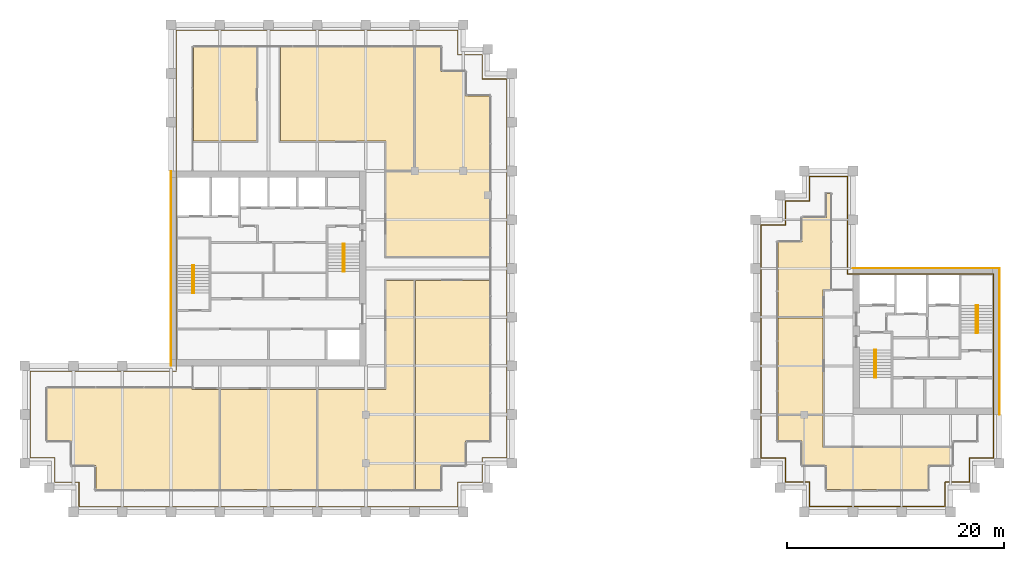
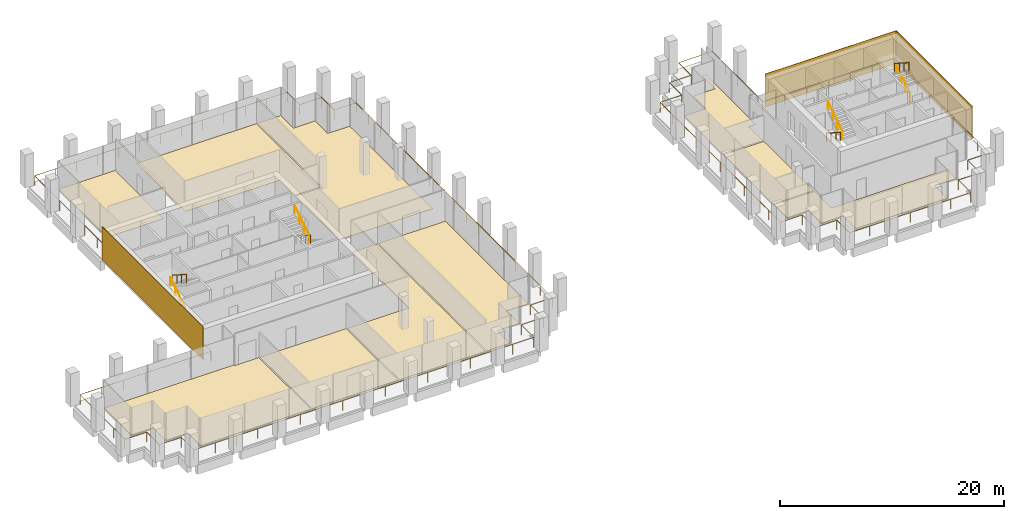
# One storey, part 40 of 40: 13 coverings, 10 railings.
"""IFC4 building model written with IfcOpenShell, lengths in metres."""

import ifcopenshell
import ifcopenshell.guid

model = None  # the IFC model being written
_history = None  # IfcOwnerHistory: only IFC2X3 demands one
_inside = {}  # id of a spatial element -> (the spatial element, [elements in it])
_under = {}  # id of a project, library or spatial element -> (it, [spatial elements below it])
_declared = {}  # id of a project -> (the project, [libraries it declares])
_typed = {}  # id of a type object -> (the type object, [elements of that type])
_made_of = {}  # id of a material, layer set ... -> (it, [elements and type objects made of it])


def new_model(schema):
    """Start an empty IFC model of exactly this schema.

    Asked for "IFC4X3", IfcOpenShell would pick the latest addendum, in which some entities
    have other attributes; the version numbers below select the first issue.
    IFC2X3 requires an IfcOwnerHistory on every rooted entity: one is made here for all.
    """
    global model, _history
    if schema == "IFC4X3":
        model = ifcopenshell.file(schema_version=(4, 3, 0, 0))
    else:
        model = ifcopenshell.file(schema=schema)
    _inside.clear()
    _under.clear()
    _declared.clear()
    _typed.clear()
    _made_of.clear()
    _history = None
    if model.schema == "IFC2X3":
        org = make("IfcOrganization", Name="unknown")
        user = make(
            "IfcPersonAndOrganization",
            ThePerson=make("IfcPerson", FamilyName="unknown"),
            TheOrganization=org,
        )
        app = make(
            "IfcApplication",
            ApplicationDeveloper=org,
            Version="unknown",
            ApplicationFullName="unknown",
            ApplicationIdentifier="unknown",
        )
        _history = make(
            "IfcOwnerHistory",
            OwningUser=user,
            OwningApplication=app,
            ChangeAction="ADDED",
            CreationDate=0,
        )
    return model


def make(cls, **values):
    """One entity of the class cls with the attributes given. An attribute that is None is left unset."""
    return model.create_entity(
        cls, **{name: value for name, value in values.items() if value is not None}
    )


def rooted(cls, **values):
    """An entity with a GlobalId (a new one), such as an element, a storey or a relation."""
    return make(cls, GlobalId=ifcopenshell.guid.new(), OwnerHistory=_history, **values)


def si_unit(unit_type, name, prefix=None):
    """IfcSIUnit, for example si_unit("LENGTHUNIT", "METRE", prefix="MILLI")."""
    return make("IfcSIUnit", UnitType=unit_type, Prefix=prefix, Name=name)


def assignment(units):
    """IfcUnitAssignment: the units of a project."""
    return None if units is None else make("IfcUnitAssignment", Units=units)


def point(xyz):
    """IfcCartesianPoint."""
    return None if xyz is None else make("IfcCartesianPoint", Coordinates=xyz)


def direction(xyz):
    """IfcDirection."""
    return None if xyz is None else make("IfcDirection", DirectionRatios=xyz)


def frame(location, z_axis=None, x_axis=None):
    """IfcAxis2Placement3D, a coordinate frame: its origin and axes. An axis left out is left unset."""
    return make(
        "IfcAxis2Placement3D",
        Location=point(location),
        Axis=direction(z_axis),
        RefDirection=direction(x_axis),
    )


def frame_2d(location, x_axis=None):
    """IfcAxis2Placement2D, a coordinate frame in the plane: its origin and x axis."""
    return make(
        "IfcAxis2Placement2D", Location=point(location), RefDirection=direction(x_axis)
    )


def origin():
    """The frame at (0, 0, 0) with its axes left unset."""
    return frame((0.0, 0.0, 0.0))


def origin_2d():
    """The frame at (0, 0) in the plane with its x axis left unset."""
    return frame_2d((0.0, 0.0))


def place(relative_to, where):
    """IfcLocalPlacement: puts the frame where relative to a parent placement (None: the world)."""
    return make(
        "IfcLocalPlacement", PlacementRelTo=relative_to, RelativePlacement=where
    )


def context(
    kind, dimensions, precision=None, world=None, true_north=None, identifier=None
):
    """IfcGeometricRepresentationContext, for example the 3D "Model" context."""
    return make(
        "IfcGeometricRepresentationContext",
        ContextIdentifier=identifier,
        ContextType=kind,
        CoordinateSpaceDimension=dimensions,
        Precision=precision,
        WorldCoordinateSystem=world,
        TrueNorth=true_north,
    )


def subcontext(parent, identifier, kind, view, scale=None):
    """IfcGeometricRepresentationSubContext, for example "Body" below "Model"."""
    return make(
        "IfcGeometricRepresentationSubContext",
        ContextIdentifier=identifier,
        ContextType=kind,
        ParentContext=parent,
        TargetScale=scale,
        TargetView=view,
    )


def project(units=None, contexts=None):
    """IfcProject with its units and contexts."""
    return rooted(
        "IfcProject",
        Name="project",
        RepresentationContexts=contexts,
        UnitsInContext=assignment(units),
    )


def spatial(cls, under=None, at=None, **own):
    """A site, building, storey or space (cls), placed at a placement, below another one or the project."""
    s = rooted(cls, ObjectPlacement=at, **own)
    if under is not None:
        _under.setdefault(under.id(), (under, []))[1].append(s)
    return s


def polyline(points):
    """IfcPolyline through the points."""
    return make("IfcPolyline", Points=[point(p) for p in points])


def profile(cls, at=None, kind="AREA", **sizes):
    """A parametric profile (cls). Its sizes go by their IFC names, for example OverallWidth=200.0."""
    return make(cls, ProfileType=kind, Position=at, **sizes)


def rectangle(**sizes):
    """IfcRectangleProfileDef."""
    return profile("IfcRectangleProfileDef", **sizes)


def circle(**sizes):
    """IfcCircleProfileDef."""
    return profile("IfcCircleProfileDef", **sizes)


def outline(outer, holes=None, kind="AREA"):
    """IfcArbitraryClosedProfileDef: a profile drawn as a closed curve; with holes, ...WithVoids."""
    if holes is None:
        return make("IfcArbitraryClosedProfileDef", ProfileType=kind, OuterCurve=outer)
    return make(
        "IfcArbitraryProfileDefWithVoids",
        ProfileType=kind,
        OuterCurve=outer,
        InnerCurves=holes,
    )


def extrude(swept, where, along, depth):
    """IfcExtrudedAreaSolid: the profile swept, set in the frame where, extruded along a direction by depth."""
    return make(
        "IfcExtrudedAreaSolid",
        SweptArea=swept,
        Position=where,
        ExtrudedDirection=direction(along),
        Depth=depth,
    )


def shape(context_of_items, identifier, shape_type, items):
    """IfcShapeRepresentation: the items that make up one representation, for example the "Body"."""
    return make(
        "IfcShapeRepresentation",
        ContextOfItems=context_of_items,
        RepresentationIdentifier=identifier,
        RepresentationType=shape_type,
        Items=items,
    )


def source(mapping_origin, context_of_items, identifier, shape_type, items):
    """IfcRepresentationMap: a shape defined once, which mapped items show again and again."""
    return make(
        "IfcRepresentationMap",
        MappingOrigin=mapping_origin,
        MappedRepresentation=shape(context_of_items, identifier, shape_type, items),
    )


def transform(
    local_origin,
    x_axis=None,
    y_axis=None,
    z_axis=None,
    scale=None,
    scale2=None,
    scale3=None,
    uniform=True,
):
    """IfcCartesianTransformationOperator3D, or its non-uniform kind. x_axis, y_axis, z_axis: its Axis1, 2, 3."""
    if uniform:
        return make(
            "IfcCartesianTransformationOperator3D",
            Axis1=direction(x_axis),
            Axis2=direction(y_axis),
            LocalOrigin=point(local_origin),
            Scale=scale,
            Axis3=direction(z_axis),
        )
    return make(
        "IfcCartesianTransformationOperator3DnonUniform",
        Axis1=direction(x_axis),
        Axis2=direction(y_axis),
        LocalOrigin=point(local_origin),
        Scale=scale,
        Axis3=direction(z_axis),
        Scale2=scale2,
        Scale3=scale3,
    )


def mapped(mapping_source, mapping_target):
    """IfcMappedItem: shows the shape of a source again, moved by a transform."""
    return make(
        "IfcMappedItem", MappingSource=mapping_source, MappingTarget=mapping_target
    )


def material(Name=None, Category=None):
    """IfcMaterial."""
    return make("IfcMaterial", Name=Name, Category=Category)


def layer(
    of_material, thickness, ventilated=None, Name=None, Category=None, Priority=None
):
    """IfcMaterialLayer: one layer of a wall or slab, of a material (None: an air gap)."""
    return make(
        "IfcMaterialLayer",
        Material=of_material,
        LayerThickness=thickness,
        IsVentilated=ventilated,
        Name=Name,
        Category=Category,
        Priority=Priority,
    )


def layer_set(layers, Name=None):
    """IfcMaterialLayerSet."""
    return make("IfcMaterialLayerSet", MaterialLayers=layers, LayerSetName=Name)


def made_of(thing, what):
    """Note that an element or type object is made of a material, layer set ...; save() writes the relation."""
    if what is not None:
        _made_of.setdefault(what.id(), (what, []))[1].append(thing)
    return thing


def type_object(cls, material=None, **own):
    """A type object (cls), such as IfcWallType, which elements share."""
    return made_of(rooted(cls, **own), material)


def element(
    cls,
    number,
    at=None,
    inside=None,
    cuts=None,
    type_object=None,
    material=None,
    context=None,
    identifier="Body",
    shape_type=None,
    held_by="IfcProductDefinitionShape",
    body=None,
    shapes=None,
    **own,
):
    """One element of the class cls, such as IfcWall. Its Tag is "e" and its number.

    at: its placement. inside: the storey or other place that contains it. cuts: it is an
    opening in that element (IfcRelVoidsElement). A single representation is given by context,
    identifier, shape_type and body (its items); several are given by shapes. held_by: the class
    of the entity that holds the representations. save() writes the other relations.
    """
    e = rooted(cls, Tag="e%d" % number, ObjectPlacement=at, **own)
    if body is not None:
        shapes = [shape(context, identifier, shape_type, body)]
    if shapes is not None:
        e.Representation = make(held_by, Representations=shapes)
    if inside is not None:
        _inside.setdefault(inside.id(), (inside, []))[1].append(e)
    if cuts is not None:
        rooted(
            "IfcRelVoidsElement", RelatingBuildingElement=cuts, RelatedOpeningElement=e
        )
    if type_object is not None:
        _typed.setdefault(type_object.id(), (type_object, []))[1].append(e)
    return made_of(e, material)


def aggregate(whole, parts):
    """IfcRelAggregates: a whole, such as a stair, and the parts it consists of."""
    return rooted("IfcRelAggregates", RelatingObject=whole, RelatedObjects=parts)


def save(model, path):
    """Write the relations noted so far, then the file.

    IfcRelAggregates (storeys below a building ...), IfcRelContainedInSpatialStructure (elements
    in a storey), IfcRelDefinesByType, IfcRelAssociatesMaterial and IfcRelDeclares: one each for
    every whole, place, type object, material and project.
    """
    for whole, parts in _under.values():
        aggregate(whole, parts)
    for where, things in _inside.values():
        rooted(
            "IfcRelContainedInSpatialStructure",
            RelatedElements=things,
            RelatingStructure=where,
        )
    for kind, things in _typed.values():
        rooted("IfcRelDefinesByType", RelatedObjects=things, RelatingType=kind)
    for what, things in _made_of.values():
        rooted("IfcRelAssociatesMaterial", RelatedObjects=things, RelatingMaterial=what)
    for by, libraries in _declared.values():
        rooted("IfcRelDeclares", RelatingContext=by, RelatedDefinitions=libraries)
    model.write(path)


model = new_model("IFC4")

# Units and contexts
model_context = context("Model", 3, precision=1e-05, world=origin(), true_north=direction((0.0, 1.0)))
body_context = subcontext(model_context, "Body", "Model", "MODEL_VIEW")
ifc_project = project(units=[si_unit("LENGTHUNIT", "METRE"), si_unit("AREAUNIT", "SQUARE_METRE"), si_unit("VOLUMEUNIT", "CUBIC_METRE"), si_unit("PLANEANGLEUNIT", "RADIAN"), si_unit("MASSUNIT", "GRAM", prefix="KILO")], contexts=[model_context])

# Site, building, storey
site_placement = place(None, origin())
site = spatial("IfcSite", under=ifc_project, at=site_placement, CompositionType="ELEMENT")
building_placement = place(site_placement, origin())
building = spatial("IfcBuilding", under=site, at=building_placement, Name="Altepetl Exchange Towers", CompositionType="ELEMENT")
storey_placement = place(building_placement, frame((0.0, 0.0, 154.60009765625)))
storey = spatial("IfcBuildingStorey", under=building, at=storey_placement, Name="L38", CompositionType="ELEMENT", Elevation=154.60009765625)

# Coverings
ifc_material_1 = material(Name="Carpet tile")
ifc_layer_1 = layer(ifc_material_1, 0.02001953125)
ifc_layer_set_1 = layer_set([ifc_layer_1], Name="Carpet tile")
covering_type_1 = type_object("IfcCoveringType", Name="Carpet tile floor", PredefinedType="FLOORING", material=ifc_layer_set_1)
covering_1_placement = place(storey_placement, origin())
element("IfcCovering", 1, at=covering_1_placement, inside=storey, type_object=covering_type_1, Name="Interview room floor finish A38.03", PredefinedType="FLOORING", context=body_context, shape_type="SweptSolid", body=[
    extrude(outline(polyline([(62.9375, 29.0625), (62.9375, 48.387451171875), (60.362548828125, 48.387451171875), (60.362548828125, 38.33740234375), (54.0625, 38.33740234375), (54.0625, 29.0625), (62.9375, 29.0625)])), origin(), (0.0, 0.0, 1.0), 0.02001953125),
])
covering_2_placement = place(storey_placement, origin())
element("IfcCovering", 2, at=covering_2_placement, inside=storey, type_object=covering_type_1, Name="Family office floor finish A38.04", PredefinedType="FLOORING", context=body_context, shape_type="SweptSolid", body=[
    extrude(outline(polyline([(67.6875, 33.5625), (69.9375, 33.5625), (69.9375, 48.387451171875), (63.0625, 48.387451171875), (63.0625, 29.0625), (65.4375, 29.0625), (65.4375, 31.3125), (67.6875, 31.3125), (67.6875, 33.5625)])), origin(), (0.0, 0.0, 1.0), 0.02001953125),
])
covering_3_placement = place(storey_placement, origin())
element("IfcCovering", 3, at=covering_3_placement, inside=storey, type_object=covering_type_1, Name="Family office floor finish A38.05", PredefinedType="FLOORING", context=body_context, shape_type="SweptSolid", body=[
    extrude(outline(polyline([(60.362548828125, 50.612548828125), (69.9375, 50.612548828125), (69.9375, 65.4375), (67.6875, 65.4375), (67.6875, 67.6875), (65.4375, 67.6875), (65.4375, 69.9375), (63.0625, 69.9375), (63.0625, 58.4375), (60.362548828125, 58.4375), (60.362548828125, 50.612548828125)])), origin(), (0.0, 0.0, 1.0), 0.02001953125),
])
covering_4_placement = place(storey_placement, origin())
element("IfcCovering", 4, at=covering_4_placement, inside=storey, type_object=covering_type_1, Name="Meeting room floor finish A38.06", PredefinedType="FLOORING", context=body_context, shape_type="SweptSolid", body=[
    extrude(outline(polyline([(60.362548828125, 58.5625), (62.9375, 58.5625), (62.9375, 69.9375), (50.612548828125, 69.9375), (50.612548828125, 61.262451171875), (60.362548828125, 61.262451171875), (60.362548828125, 58.5625)])), origin(), (0.0, 0.0, 1.0), 0.02001953125),
])
covering_5_placement = place(storey_placement, origin())
element("IfcCovering", 5, at=covering_5_placement, inside=storey, type_object=covering_type_1, Name="Pantry floor finish A38.07", PredefinedType="FLOORING", context=body_context, shape_type="SweptSolid", body=[
    extrude(outline(polyline([(42.5625, 61.262451171875), (48.387451171875, 61.262451171875), (48.387451171875, 69.9375), (42.5625, 69.9375), (42.5625, 61.262451171875)])), origin(), (0.0, 0.0, 1.0), 0.02001953125),
])
covering_6_placement = place(storey_placement, origin())
element("IfcCovering", 6, at=covering_6_placement, inside=storey, type_object=covering_type_1, Name="Pantry floor finish B38.01", PredefinedType="FLOORING", context=body_context, shape_type="SweptSolid", body=[
    extrude(outline(polyline([(96.5625, 36.0625), (100.737548828125, 36.0625), (100.737548828125, 44.9375), (96.5625, 44.9375), (96.5625, 36.0625)])), origin(), (0.0, 0.0, 1.0), 0.02001953125),
])
covering_7_placement = place(storey_placement, origin())
element("IfcCovering", 7, at=covering_7_placement, inside=storey, type_object=covering_type_1, Name="Huddle room floor finish B38.03", PredefinedType="FLOORING", context=body_context, shape_type="SweptSolid", body=[
    extrude(outline(polyline([(96.5625, 45.0625), (100.737548828125, 45.0625), (100.737548828125, 47.5625), (101.4375, 47.5625), (101.4375, 56.4375), (101.0625, 56.4375), (101.0625, 54.1875), (98.8125, 54.1875), (98.8125, 51.9375), (96.5625, 51.9375), (96.5625, 45.0625)])), origin(), (0.0, 0.0, 1.0), 0.02001953125),
])
ifc_material_2 = material(Name="Cantera stone", Category="masonry")
ifc_layer_2 = layer(ifc_material_2, 0.030029296875)
ifc_layer_set_2 = layer_set([ifc_layer_2], Name="Cantera stone")
covering_type_2 = type_object("IfcCoveringType", Name="Polished stone floor", PredefinedType="FLOORING", material=ifc_layer_set_2)
covering_8_placement = place(storey_placement, origin())
element("IfcCovering", 8, at=covering_8_placement, inside=storey, type_object=covering_type_2, Name="Library floor finish A38.01", PredefinedType="FLOORING", context=body_context, shape_type="SweptSolid", body=[
    extrude(outline(polyline([(33.5625, 29.0625), (44.9375, 29.0625), (44.9375, 38.33740234375), (42.4375, 38.33740234375), (42.4375, 38.4375), (29.0625, 38.4375), (29.0625, 33.5625), (31.3125, 33.5625), (31.3125, 31.3125), (33.5625, 31.3125), (33.5625, 29.0625)])), origin(), (0.0, 0.0, 1.0), 0.02978515625),
])
covering_9_placement = place(storey_placement, origin())
element("IfcCovering", 9, at=covering_9_placement, inside=storey, type_object=covering_type_2, Name="Lounge floor finish A38.02", PredefinedType="FLOORING", context=body_context, shape_type="SweptSolid", body=[
    extrude(outline(polyline([(45.0625, 38.33740234375), (45.0625, 29.0625), (53.9375, 29.0625), (53.9375, 38.33740234375), (45.0625, 38.33740234375)])), origin(), (0.0, 0.0, 1.0), 0.02978515625),
])
ifc_material_3 = material(Name="Calcium sulphate access floor panel")
ifc_layer_3 = layer(ifc_material_3, 0.0400390625)
ifc_layer_set_3 = layer_set([ifc_layer_3], Name="Calcium sulphate access floor panel")
covering_type_3 = type_object("IfcCoveringType", Name="Raised access floor panels", PredefinedType="FLOORING", material=ifc_layer_set_3)
covering_10_placement = place(storey_placement, origin())
element("IfcCovering", 10, at=covering_10_placement, inside=storey, type_object=covering_type_3, Name="Broker office floor finish B38.02", PredefinedType="FLOORING", context=body_context, shape_type="SweptSolid", body=[
    extrude(outline(polyline([(112.6875, 31.3125), (112.6875, 32.9375), (100.737548828125, 32.9375), (100.737548828125, 35.9375), (96.5625, 35.9375), (96.5625, 33.5625), (98.8125, 33.5625), (98.8125, 31.3125), (101.0625, 31.3125), (101.0625, 29.0625), (110.4375, 29.0625), (110.4375, 31.3125), (112.6875, 31.3125)])), origin(), (0.0, 0.0, 1.0), 0.039794921875),
])
ifc_material_4 = material(Name="Cantera limestone cladding", Category="masonry")
ifc_layer_4 = layer(ifc_material_4, 0.0400390625)
ifc_layer_set_4 = layer_set([ifc_layer_4], Name="Cantera limestone cladding")
covering_type_4 = type_object("IfcCoveringType", Name="Stone panel 40 cantera", PredefinedType="CLADDING", material=ifc_layer_set_4)
covering_11_placement = place(storey_placement, frame((40.47998046875, 49.5, -0.000244140625), z_axis=(0.0, 0.0, 1.0), x_axis=(0.0, -1.0, 0.0)))
element("IfcCovering", 11, at=covering_11_placement, inside=storey, type_object=covering_type_4, Name="Stone cladding panel", PredefinedType="CLADDING", context=body_context, shape_type="SweptSolid", body=[
    extrude(rectangle(XDim=18.0, YDim=0.0400390625, at=origin_2d()), origin(), (0.0, 0.0, 1.0), 3.60009765625),
])
for number, where, z_axis, x_axis, name in (
    (12, (117.02001953125, 42.75, -0.000244140625), (0.0, 0.0, 1.0), (0.0, 1.0, 0.0), "Stone cladding panel"),
    (13, (110.25, 49.52001953125, -0.000244140625), (0.0, 0.0, 1.0), (-1.0, 0.0, 0.0), "Stone cladding panel"),
):
    element("IfcCovering", number, at=place(storey_placement, frame(where, z_axis=z_axis, x_axis=x_axis)), inside=storey, type_object=covering_type_4, Name=name, PredefinedType="CLADDING", context=body_context, shape_type="SweptSolid", body=[
        extrude(rectangle(XDim=13.5, YDim=0.0400390625, at=origin_2d()), origin(), (0.0, 0.0, 1.0), 3.60009765625),
    ])

# Railings
ifc_material_5 = material(Name="Steel S355", Category="steel")
railing_type_1 = type_object("IfcRailingType", Name="Guard 1100 steel posts and rail", PredefinedType="GUARDRAIL", material=ifc_material_5)
shared_shape_1 = source(origin(), body_context, "Body", "SweptSolid", [
    extrude(circle(Radius=0.02099609375, at=origin_2d()), origin(), (0.0, 0.0, 1.0), 1.052001953125),
])
railing_1_placement = place(storey_placement, frame((41.0, 40.0, 0.0)))
element("IfcRailing", 14, at=railing_1_placement, inside=storey, type_object=railing_type_1, Name="Loggia guard", PredefinedType="GUARDRAIL", context=body_context, shape_type="SweptSolid", body=[
    extrude(circle(Radius=0.02392578125, at=origin_2d()), frame((0.0, 0.0, 1.076171875), z_axis=(-1.0, 0.0, 0.0), x_axis=(0.0, -1.0, 0.0)), (0.0, 0.0, 1.0), 13.5),
    extrude(circle(Radius=0.02392578125, at=origin_2d()), frame((-13.5, 0.0, 1.076171875), z_axis=(0.0, -1.0, 0.0), x_axis=(1.0, 0.0, 0.0)), (0.0, 0.0, 1.0), 8.0),
    extrude(circle(Radius=0.02392578125, at=origin_2d()), frame((-13.5, -8.0, 1.076171875), z_axis=(1.0, 0.0, 0.0), x_axis=(0.0, 1.0, 0.0)), (0.0, 0.0, 1.0), 2.25),
    extrude(circle(Radius=0.02392578125, at=origin_2d()), frame((-11.25, -8.0, 1.076171875), z_axis=(0.0, -1.0, 0.0), x_axis=(1.0, 0.0, 0.0)), (0.0, 0.0, 1.0), 2.25),
    extrude(circle(Radius=0.02392578125, at=origin_2d()), frame((-11.25, -10.25, 1.076171875), z_axis=(1.0, 0.0, 0.0), x_axis=(0.0, 1.0, 0.0)), (0.0, 0.0, 1.0), 2.25),
    extrude(circle(Radius=0.02392578125, at=origin_2d()), frame((-9.0, -10.25, 1.076171875), z_axis=(0.0, -1.0, 0.0), x_axis=(1.0, 0.0, 0.0)), (0.0, 0.0, 1.0), 2.25),
    extrude(circle(Radius=0.02392578125, at=origin_2d()), frame((-9.0, -12.5, 1.076171875), z_axis=(1.0, 0.0, 0.0), x_axis=(0.0, 1.0, 0.0)), (0.0, 0.0, 1.0), 35.0),
    extrude(circle(Radius=0.02392578125, at=origin_2d()), frame((26.0, -12.5, 1.076171875), z_axis=(0.0, 1.0, 0.0), x_axis=(-1.0, 0.0, 0.0)), (0.0, 0.0, 1.0), 2.25),
    extrude(circle(Radius=0.02392578125, at=origin_2d()), frame((26.0, -10.25, 1.076171875), z_axis=(1.0, 0.0, 0.0), x_axis=(0.0, 1.0, 0.0)), (0.0, 0.0, 1.0), 2.25),
    extrude(circle(Radius=0.02392578125, at=origin_2d()), frame((28.25, -10.25, 1.076171875), z_axis=(0.0, 1.0, 0.0), x_axis=(-1.0, 0.0, 0.0)), (0.0, 0.0, 1.0), 2.25),
    extrude(circle(Radius=0.02392578125, at=origin_2d()), frame((28.25, -8.0, 1.076171875), z_axis=(1.0, 0.0, 0.0), x_axis=(0.0, 1.0, 0.0)), (0.0, 0.0, 1.0), 2.25),
    extrude(circle(Radius=0.02392578125, at=origin_2d()), frame((30.5, -8.0, 1.076171875), z_axis=(0.0, 1.0, 0.0), x_axis=(-1.0, 0.0, 0.0)), (0.0, 0.0, 1.0), 35.0),
    extrude(circle(Radius=0.02392578125, at=origin_2d()), frame((30.5, 27.0, 1.076171875), z_axis=(-1.0, 0.0, 0.0), x_axis=(0.0, -1.0, 0.0)), (0.0, 0.0, 1.0), 2.25),
    extrude(circle(Radius=0.02392578125, at=origin_2d()), frame((28.25, 27.0, 1.076171875), z_axis=(0.0, 1.0, 0.0), x_axis=(-1.0, 0.0, 0.0)), (0.0, 0.0, 1.0), 2.25),
    extrude(circle(Radius=0.02392578125, at=origin_2d()), frame((28.25, 29.25, 1.076171875), z_axis=(-1.0, 0.0, 0.0), x_axis=(0.0, -1.0, 0.0)), (0.0, 0.0, 1.0), 2.25),
    extrude(circle(Radius=0.02392578125, at=origin_2d()), frame((26.0, 29.25, 1.076171875), z_axis=(0.0, 1.0, 0.0), x_axis=(-1.0, 0.0, 0.0)), (0.0, 0.0, 1.0), 2.25),
    extrude(circle(Radius=0.02392578125, at=origin_2d()), frame((26.0, 31.5, 1.076171875), z_axis=(-1.0, 0.0, 0.0), x_axis=(0.0, -1.0, 0.0)), (0.0, 0.0, 1.0), 26.0),
    extrude(circle(Radius=0.02392578125, at=origin_2d()), frame((0.0, 31.5, 1.076171875), z_axis=(0.0, -1.0, 0.0), x_axis=(1.0, 0.0, 0.0)), (0.0, 0.0, 1.0), 31.39990234375),
    mapped(shared_shape_1, transform((0.0, 0.0, 0.0))),
    mapped(shared_shape_1, transform((-2.25, 0.0, 0.0))),
    mapped(shared_shape_1, transform((-4.5, 0.0, 0.0))),
    mapped(shared_shape_1, transform((-6.75, 0.0, 0.0))),
    mapped(shared_shape_1, transform((-9.0, 0.0, 0.0))),
    mapped(shared_shape_1, transform((-11.25, 0.0, 0.0))),
    mapped(shared_shape_1, transform((-13.5, 0.0, 0.0))),
    mapped(shared_shape_1, transform((-13.5, -2.0, 0.0))),
    mapped(shared_shape_1, transform((-13.5, -4.0, 0.0))),
    mapped(shared_shape_1, transform((-13.5, -6.0, 0.0))),
    mapped(shared_shape_1, transform((-13.5, -8.0, 0.0))),
    mapped(shared_shape_1, transform((-11.25, -8.0, 0.0))),
    mapped(shared_shape_1, transform((-11.25, -10.25, 0.0))),
    mapped(shared_shape_1, transform((-9.0, -10.25, 0.0))),
    mapped(shared_shape_1, transform((-9.0, -12.5, 0.0))),
    mapped(shared_shape_1, transform((-6.8125, -12.5, 0.0))),
    mapped(shared_shape_1, transform((-4.625, -12.5, 0.0))),
    mapped(shared_shape_1, transform((-2.4375, -12.5, 0.0))),
    mapped(shared_shape_1, transform((-0.25, -12.5, 0.0))),
    mapped(shared_shape_1, transform((1.9375, -12.5, 0.0))),
    mapped(shared_shape_1, transform((4.125, -12.5, 0.0))),
    mapped(shared_shape_1, transform((6.3125, -12.5, 0.0))),
    mapped(shared_shape_1, transform((8.5, -12.5, 0.0))),
    mapped(shared_shape_1, transform((10.6875, -12.5, 0.0))),
    mapped(shared_shape_1, transform((12.875, -12.5, 0.0))),
    mapped(shared_shape_1, transform((15.0625, -12.5, 0.0))),
    mapped(shared_shape_1, transform((17.25, -12.5, 0.0))),
    mapped(shared_shape_1, transform((19.4375, -12.5, 0.0))),
    mapped(shared_shape_1, transform((21.625, -12.5, 0.0))),
    mapped(shared_shape_1, transform((23.8125, -12.5, 0.0))),
    mapped(shared_shape_1, transform((26.0, -12.5, 0.0))),
    mapped(shared_shape_1, transform((26.0, -10.25, 0.0))),
    mapped(shared_shape_1, transform((28.25, -10.25, 0.0))),
    mapped(shared_shape_1, transform((28.25, -8.0, 0.0))),
    mapped(shared_shape_1, transform((30.5, -8.0, 0.0))),
    mapped(shared_shape_1, transform((30.5, -5.8125, 0.0))),
    mapped(shared_shape_1, transform((30.5, -3.625, 0.0))),
    mapped(shared_shape_1, transform((30.5, -1.4375, 0.0))),
    mapped(shared_shape_1, transform((30.5, 0.75, 0.0))),
    mapped(shared_shape_1, transform((30.5, 2.9375, 0.0))),
    mapped(shared_shape_1, transform((30.5, 5.125, 0.0))),
    mapped(shared_shape_1, transform((30.5, 7.3125, 0.0))),
    mapped(shared_shape_1, transform((30.5, 9.5, 0.0))),
    mapped(shared_shape_1, transform((30.5, 11.6875, 0.0))),
    mapped(shared_shape_1, transform((30.5, 13.875, 0.0))),
    mapped(shared_shape_1, transform((30.5, 16.0625, 0.0))),
    mapped(shared_shape_1, transform((30.5, 18.25, 0.0))),
    mapped(shared_shape_1, transform((30.5, 20.4375, 0.0))),
    mapped(shared_shape_1, transform((30.5, 22.625, 0.0))),
    mapped(shared_shape_1, transform((30.5, 24.8125, 0.0))),
    mapped(shared_shape_1, transform((30.5, 27.0, 0.0))),
    mapped(shared_shape_1, transform((28.25, 27.0, 0.0))),
    mapped(shared_shape_1, transform((28.25, 29.25, 0.0))),
    mapped(shared_shape_1, transform((26.0, 29.25, 0.0))),
    mapped(shared_shape_1, transform((26.0, 31.5, 0.0))),
    mapped(shared_shape_1, transform((23.833251953125, 31.5, 0.0))),
    mapped(shared_shape_1, transform((21.666748046875, 31.5, 0.0))),
    mapped(shared_shape_1, transform((19.5, 31.5, 0.0))),
    mapped(shared_shape_1, transform((17.333251953125, 31.5, 0.0))),
    mapped(shared_shape_1, transform((15.166748046875, 31.5, 0.0))),
    mapped(shared_shape_1, transform((13.0, 31.5, 0.0))),
    mapped(shared_shape_1, transform((10.833251953125, 31.5, 0.0))),
    mapped(shared_shape_1, transform((8.666748046875, 31.5, 0.0))),
    mapped(shared_shape_1, transform((6.5, 31.5, 0.0))),
    mapped(shared_shape_1, transform((4.333251953125, 31.5, 0.0))),
    mapped(shared_shape_1, transform((2.166748046875, 31.5, 0.0))),
    mapped(shared_shape_1, transform((0.0, 31.5, 0.0))),
    mapped(shared_shape_1, transform((0.0, 29.257080078125, 0.0))),
    mapped(shared_shape_1, transform((0.0, 27.014404296875, 0.0))),
    mapped(shared_shape_1, transform((0.0, 24.771484375, 0.0))),
    mapped(shared_shape_1, transform((0.0, 22.528564453125, 0.0))),
    mapped(shared_shape_1, transform((0.0, 20.28564453125, 0.0))),
    mapped(shared_shape_1, transform((0.0, 18.04296875, 0.0))),
    mapped(shared_shape_1, transform((0.0, 15.800048828125, 0.0))),
    mapped(shared_shape_1, transform((0.0, 13.55712890625, 0.0))),
    mapped(shared_shape_1, transform((0.0, 11.314453125, 0.0))),
    mapped(shared_shape_1, transform((0.0, 9.071533203125, 0.0))),
    mapped(shared_shape_1, transform((0.0, 6.82861328125, 0.0))),
    mapped(shared_shape_1, transform((0.0, 4.585693359375, 0.0))),
    mapped(shared_shape_1, transform((0.0, 2.343017578125, 0.0))),
    mapped(shared_shape_1, transform((0.0, 0.10009765625, 0.0))),
])
railing_2_placement = place(storey_placement, frame((99.5, 27.5, 0.0)))
element("IfcRailing", 15, at=railing_2_placement, inside=storey, type_object=railing_type_1, Name="Loggia guard", PredefinedType="GUARDRAIL", context=body_context, shape_type="SweptSolid", body=[
    extrude(circle(Radius=0.02392578125, at=origin_2d()), frame((0.0, 0.0, 1.076171875), z_axis=(1.0, 0.0, 0.0), x_axis=(0.0, 1.0, 0.0)), (0.0, 0.0, 1.0), 12.5),
    extrude(circle(Radius=0.02392578125, at=origin_2d()), frame((12.5, 0.0, 1.076171875), z_axis=(0.0, 1.0, 0.0), x_axis=(-1.0, 0.0, 0.0)), (0.0, 0.0, 1.0), 2.25),
    extrude(circle(Radius=0.02392578125, at=origin_2d()), frame((12.5, 2.25, 1.076171875), z_axis=(1.0, 0.0, 0.0), x_axis=(0.0, 1.0, 0.0)), (0.0, 0.0, 1.0), 2.25),
    extrude(circle(Radius=0.02392578125, at=origin_2d()), frame((14.75, 2.25, 1.076171875), z_axis=(0.0, 1.0, 0.0), x_axis=(-1.0, 0.0, 0.0)), (0.0, 0.0, 1.0), 2.25),
    extrude(circle(Radius=0.02392578125, at=origin_2d()), frame((14.75, 4.5, 1.076171875), z_axis=(1.0, 0.0, 0.0), x_axis=(0.0, 1.0, 0.0)), (0.0, 0.0, 1.0), 2.25),
    extrude(circle(Radius=0.02392578125, at=origin_2d()), frame((17.0, 4.5, 1.076171875), z_axis=(0.0, 1.0, 0.0), x_axis=(-1.0, 0.0, 0.0)), (0.0, 0.0, 1.0), 17.0),
    extrude(circle(Radius=0.02392578125, at=origin_2d()), frame((17.0, 21.5, 1.076171875), z_axis=(-1.0, 0.0, 0.0), x_axis=(0.0, -1.0, 0.0)), (0.0, 0.0, 1.0), 13.5),
    extrude(circle(Radius=0.02392578125, at=origin_2d()), frame((3.5, 21.5, 1.076171875), z_axis=(0.0, 1.0, 0.0), x_axis=(-1.0, 0.0, 0.0)), (0.0, 0.0, 1.0), 9.0),
    extrude(circle(Radius=0.02392578125, at=origin_2d()), frame((3.5, 30.5, 1.076171875), z_axis=(-1.0, 0.0, 0.0), x_axis=(0.0, -1.0, 0.0)), (0.0, 0.0, 1.0), 3.5),
    extrude(circle(Radius=0.02392578125, at=origin_2d()), frame((0.0, 30.5, 1.076171875), z_axis=(0.0, -1.0, 0.0), x_axis=(1.0, 0.0, 0.0)), (0.0, 0.0, 1.0), 2.25),
    extrude(circle(Radius=0.02392578125, at=origin_2d()), frame((0.0, 28.25, 1.076171875), z_axis=(-1.0, 0.0, 0.0), x_axis=(0.0, -1.0, 0.0)), (0.0, 0.0, 1.0), 2.25),
    extrude(circle(Radius=0.02392578125, at=origin_2d()), frame((-2.25, 28.25, 1.076171875), z_axis=(0.0, -1.0, 0.0), x_axis=(1.0, 0.0, 0.0)), (0.0, 0.0, 1.0), 2.25),
    extrude(circle(Radius=0.02392578125, at=origin_2d()), frame((-2.25, 26.0, 1.076171875), z_axis=(-1.0, 0.0, 0.0), x_axis=(0.0, -1.0, 0.0)), (0.0, 0.0, 1.0), 2.25),
    extrude(circle(Radius=0.02392578125, at=origin_2d()), frame((-4.5, 26.0, 1.076171875), z_axis=(0.0, -1.0, 0.0), x_axis=(1.0, 0.0, 0.0)), (0.0, 0.0, 1.0), 21.5),
    extrude(circle(Radius=0.02392578125, at=origin_2d()), frame((-4.5, 4.5, 1.076171875), z_axis=(1.0, 0.0, 0.0), x_axis=(0.0, 1.0, 0.0)), (0.0, 0.0, 1.0), 2.25),
    extrude(circle(Radius=0.02392578125, at=origin_2d()), frame((-2.25, 4.5, 1.076171875), z_axis=(0.0, -1.0, 0.0), x_axis=(1.0, 0.0, 0.0)), (0.0, 0.0, 1.0), 2.25),
    extrude(circle(Radius=0.02392578125, at=origin_2d()), frame((-2.25, 2.25, 1.076171875), z_axis=(1.0, 0.0, 0.0), x_axis=(0.0, 1.0, 0.0)), (0.0, 0.0, 1.0), 2.25),
    extrude(circle(Radius=0.02392578125, at=origin_2d()), frame((0.0, 2.25, 1.076171875), z_axis=(0.0, -1.0, 0.0), x_axis=(1.0, 0.0, 0.0)), (0.0, 0.0, 1.0), 2.14990234375),
    mapped(shared_shape_1, transform((0.0, 0.0, 0.0))),
    mapped(shared_shape_1, transform((2.083251953125, 0.0, 0.0))),
    mapped(shared_shape_1, transform((4.166748046875, 0.0, 0.0))),
    mapped(shared_shape_1, transform((6.25, 0.0, 0.0))),
    mapped(shared_shape_1, transform((8.333251953125, 0.0, 0.0))),
    mapped(shared_shape_1, transform((10.416748046875, 0.0, 0.0))),
    mapped(shared_shape_1, transform((12.5, 0.0, 0.0))),
    mapped(shared_shape_1, transform((12.5, 2.25, 0.0))),
    mapped(shared_shape_1, transform((14.75, 2.25, 0.0))),
    mapped(shared_shape_1, transform((14.75, 4.5, 0.0))),
    mapped(shared_shape_1, transform((17.0, 4.5, 0.0))),
    mapped(shared_shape_1, transform((17.0, 6.625, 0.0))),
    mapped(shared_shape_1, transform((17.0, 8.75, 0.0))),
    mapped(shared_shape_1, transform((17.0, 10.875, 0.0))),
    mapped(shared_shape_1, transform((17.0, 13.0, 0.0))),
    mapped(shared_shape_1, transform((17.0, 15.125, 0.0))),
    mapped(shared_shape_1, transform((17.0, 17.25, 0.0))),
    mapped(shared_shape_1, transform((17.0, 19.375, 0.0))),
    mapped(shared_shape_1, transform((17.0, 21.5, 0.0))),
    mapped(shared_shape_1, transform((14.75, 21.5, 0.0))),
    mapped(shared_shape_1, transform((12.5, 21.5, 0.0))),
    mapped(shared_shape_1, transform((10.25, 21.5, 0.0))),
    mapped(shared_shape_1, transform((8.0, 21.5, 0.0))),
    mapped(shared_shape_1, transform((5.75, 21.5, 0.0))),
    mapped(shared_shape_1, transform((3.5, 21.5, 0.0))),
    mapped(shared_shape_1, transform((3.5, 23.75, 0.0))),
    mapped(shared_shape_1, transform((3.5, 26.0, 0.0))),
    mapped(shared_shape_1, transform((3.5, 28.25, 0.0))),
    mapped(shared_shape_1, transform((3.5, 30.5, 0.0))),
    mapped(shared_shape_1, transform((1.75, 30.5, 0.0))),
    mapped(shared_shape_1, transform((0.0, 30.5, 0.0))),
    mapped(shared_shape_1, transform((0.0, 28.25, 0.0))),
    mapped(shared_shape_1, transform((-2.25, 28.25, 0.0))),
    mapped(shared_shape_1, transform((-2.25, 26.0, 0.0))),
    mapped(shared_shape_1, transform((-4.5, 26.0, 0.0))),
    mapped(shared_shape_1, transform((-4.5, 23.85009765625, 0.0))),
    mapped(shared_shape_1, transform((-4.5, 21.699951171875, 0.0))),
    mapped(shared_shape_1, transform((-4.5, 19.550048828125, 0.0))),
    mapped(shared_shape_1, transform((-4.5, 17.39990234375, 0.0))),
    mapped(shared_shape_1, transform((-4.5, 15.25, 0.0))),
    mapped(shared_shape_1, transform((-4.5, 13.10009765625, 0.0))),
    mapped(shared_shape_1, transform((-4.5, 10.949951171875, 0.0))),
    mapped(shared_shape_1, transform((-4.5, 8.800048828125, 0.0))),
    mapped(shared_shape_1, transform((-4.5, 6.64990234375, 0.0))),
    mapped(shared_shape_1, transform((-4.5, 4.5, 0.0))),
    mapped(shared_shape_1, transform((-2.25, 4.5, 0.0))),
    mapped(shared_shape_1, transform((-2.25, 2.25, 0.0))),
    mapped(shared_shape_1, transform((0.0, 2.25, 0.0))),
    mapped(shared_shape_1, transform((0.0, 0.10009765625, 0.0))),
])
ifc_material_6 = material(Name="Steel", Category="steel")
railing_type_2 = type_object("IfcRailingType", Name="Stair handrail 50 steel tube", PredefinedType="HANDRAIL", material=ifc_material_6)
shared_shape_2 = source(origin(), body_context, "Body", "SweptSolid", [
    extrude(circle(Radius=0.02099609375, at=origin_2d()), origin(), (0.0, 0.0, 1.0), 0.851806640625),
])
railing_3_placement = place(storey_placement, frame((42.469970703125, 47.25, 0.179931640625)))
element("IfcRailing", 16, at=railing_3_placement, inside=storey, type_object=railing_type_2, Name="Stair handrail", PredefinedType="HANDRAIL", context=body_context, shape_type="SweptSolid", body=[
    extrude(circle(Radius=0.02392578125, at=origin_2d()), frame((0.0, 0.0, 0.8759765625), z_axis=(0.0, 0.841199657755, 0.540724639528), x_axis=(-1.0, 0.0, 0.0)), (0.0, 0.0, 1.0), 2.995849609375),
    mapped(shared_shape_2, transform((0.0, 0.0, 0.0))),
    mapped(shared_shape_2, transform((0.0, 0.840087890625, 0.5400390625))),
    mapped(shared_shape_2, transform((0.0, 1.679931640625, 1.079833984375))),
    mapped(shared_shape_2, transform((0.0, 2.52001953125, 1.619873046875))),
])
for number, where, name in (
    (17, (42.6298828125, 49.77001953125, 1.97998046875), "Stair handrail"),
    (18, (56.530029296875, 51.75, 0.179931640625), "Stair handrail"),
):
    element("IfcRailing", number, at=place(storey_placement, frame(where)), inside=storey, type_object=railing_type_2, Name=name, PredefinedType="HANDRAIL", context=body_context, shape_type="SweptSolid", body=[
        extrude(circle(Radius=0.02392578125, at=origin_2d()), frame((0.0, 0.0, 0.8759765625), z_axis=(0.0, -0.841199657755, 0.540724639528), x_axis=(1.0, 0.0, 0.0)), (0.0, 0.0, 1.0), 2.995849609375),
        mapped(shared_shape_2, transform((0.0, 0.0, 0.0))),
        mapped(shared_shape_2, transform((0.0, -0.840087890625, 0.5400390625))),
        mapped(shared_shape_2, transform((0.0, -1.679931640625, 1.079833984375))),
        mapped(shared_shape_2, transform((0.0, -2.52001953125, 1.619873046875))),
    ])
railing_4_placement = place(storey_placement, frame((56.3701171875, 49.22998046875, 1.97998046875)))
element("IfcRailing", 19, at=railing_4_placement, inside=storey, type_object=railing_type_2, Name="Stair handrail", PredefinedType="HANDRAIL", context=body_context, shape_type="SweptSolid", body=[
    extrude(circle(Radius=0.02392578125, at=origin_2d()), frame((0.0, 0.0, 0.8759765625), z_axis=(0.0, 0.841199657755, 0.540724639528), x_axis=(-1.0, 0.0, 0.0)), (0.0, 0.0, 1.0), 2.995849609375),
    mapped(shared_shape_2, transform((0.0, 0.0, 0.0))),
    mapped(shared_shape_2, transform((0.0, 0.840087890625, 0.5400390625))),
    mapped(shared_shape_2, transform((0.0, 1.679931640625, 1.079833984375))),
    mapped(shared_shape_2, transform((0.0, 2.52001953125, 1.619873046875))),
])
railing_5_placement = place(storey_placement, frame((105.469970703125, 41.949951171875, 0.179931640625)))
element("IfcRailing", 20, at=railing_5_placement, inside=storey, type_object=railing_type_2, Name="Stair handrail", PredefinedType="HANDRAIL", context=body_context, shape_type="SweptSolid", body=[
    extrude(circle(Radius=0.02392578125, at=origin_2d()), frame((0.0, 0.0, 0.8759765625), z_axis=(0.0, -0.841199657755, 0.540724639528), x_axis=(1.0, 0.0, 0.0)), (0.0, 0.0, 1.0), 2.995849609375),
    mapped(shared_shape_2, transform((0.0, 0.0, 0.0))),
    mapped(shared_shape_2, transform((0.0, -0.840087890625, 0.5400390625))),
    mapped(shared_shape_2, transform((0.0, -1.679931640625, 1.079833984375))),
    mapped(shared_shape_2, transform((0.0, -2.52001953125, 1.619873046875))),
])
for number, where, name in (
    (21, (105.6298828125, 39.429931640625, 1.97998046875), "Stair handrail"),
    (22, (115.030029296875, 43.550048828125, 0.179931640625), "Stair handrail"),
):
    element("IfcRailing", number, at=place(storey_placement, frame(where)), inside=storey, type_object=railing_type_2, Name=name, PredefinedType="HANDRAIL", context=body_context, shape_type="SweptSolid", body=[
        extrude(circle(Radius=0.02392578125, at=origin_2d()), frame((0.0, 0.0, 0.8759765625), z_axis=(0.0, 0.841199657755, 0.540724639528), x_axis=(-1.0, 0.0, 0.0)), (0.0, 0.0, 1.0), 2.995849609375),
        mapped(shared_shape_2, transform((0.0, 0.0, 0.0))),
        mapped(shared_shape_2, transform((0.0, 0.840087890625, 0.5400390625))),
        mapped(shared_shape_2, transform((0.0, 1.679931640625, 1.079833984375))),
        mapped(shared_shape_2, transform((0.0, 2.52001953125, 1.619873046875))),
    ])
railing_6_placement = place(storey_placement, frame((114.8701171875, 46.070068359375, 1.97998046875)))
element("IfcRailing", 23, at=railing_6_placement, inside=storey, type_object=railing_type_2, Name="Stair handrail", PredefinedType="HANDRAIL", context=body_context, shape_type="SweptSolid", body=[
    extrude(circle(Radius=0.02392578125, at=origin_2d()), frame((0.0, 0.0, 0.8759765625), z_axis=(0.0, -0.841199657755, 0.540724639528), x_axis=(1.0, 0.0, 0.0)), (0.0, 0.0, 1.0), 2.995849609375),
    mapped(shared_shape_2, transform((0.0, 0.0, 0.0))),
    mapped(shared_shape_2, transform((0.0, -0.840087890625, 0.5400390625))),
    mapped(shared_shape_2, transform((0.0, -1.679931640625, 1.079833984375))),
    mapped(shared_shape_2, transform((0.0, -2.52001953125, 1.619873046875))),
])

save(model, "model.ifc")
